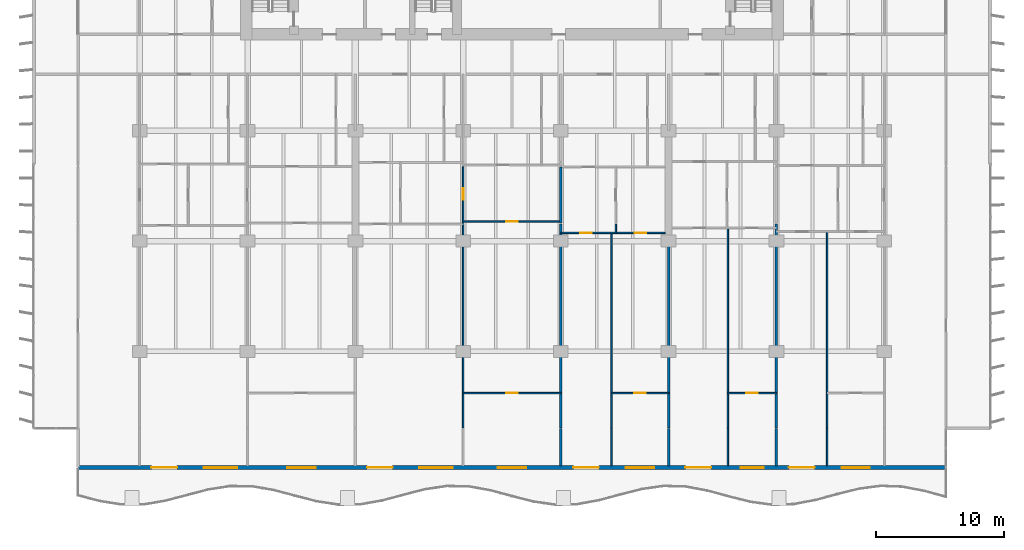
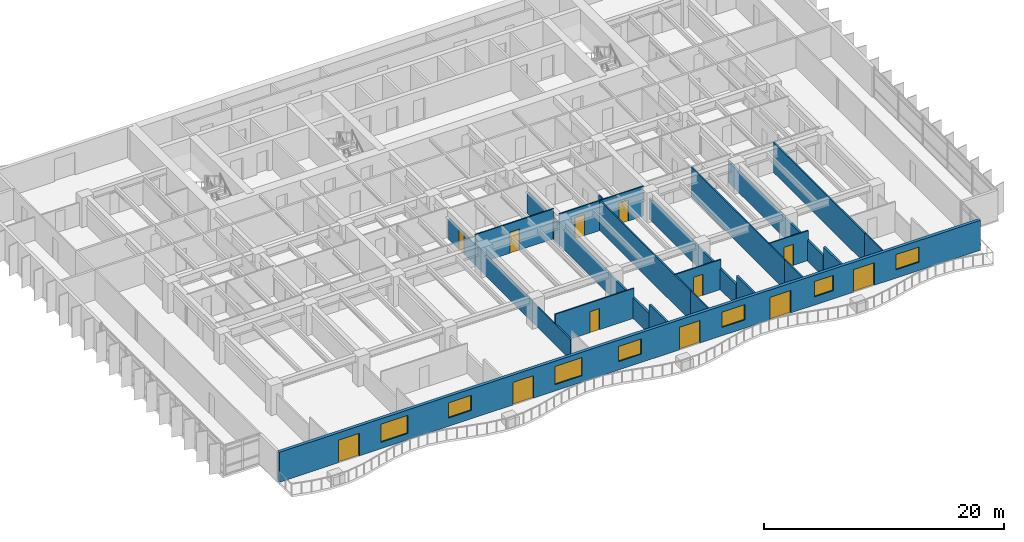
# One storey, part 8 of 17: 22 walls, 12 doors, 7 windows, 19 openings.
"""IFC4 building model written with IfcOpenShell, lengths in metres."""

from ifc_helpers import new_model, si_unit, direction, frame, frame_2d, origin, place, context, subcontext, project, spatial, rectangle, extrude, material, layer, layer_set, type_object, element, fill, save


model = new_model("IFC4")

# Units and contexts
model_context = context("Model", 3, precision=1e-05, world=origin(), true_north=direction((0.0, 1.0)))
body_context = subcontext(model_context, "Body", "Model", "MODEL_VIEW")
ifc_project = project(units=[si_unit("LENGTHUNIT", "METRE"), si_unit("AREAUNIT", "SQUARE_METRE"), si_unit("VOLUMEUNIT", "CUBIC_METRE"), si_unit("PLANEANGLEUNIT", "RADIAN"), si_unit("MASSUNIT", "GRAM", prefix="KILO")], contexts=[model_context])

# Site, building, storey
site_placement = place(None, origin())
site = spatial("IfcSite", under=ifc_project, at=site_placement, CompositionType="ELEMENT")
building_placement = place(site_placement, origin())
building = spatial("IfcBuilding", under=site, at=building_placement, Name="Caelmar Bay Residences", CompositionType="ELEMENT")
storey_placement = place(building_placement, frame((0.0, 0.0, 63.0)))
storey = spatial("IfcBuildingStorey", under=building, at=storey_placement, Name="L16", CompositionType="ELEMENT", Elevation=63.0)

# Wall, openings, doors, windows
ifc_material_1 = material(Name="Precast concrete f'c 40 MPa (6,000 psi)", Category="concrete")
ifc_layer_1 = layer(ifc_material_1, 0.300048828125)
ifc_layer_set_1 = layer_set([ifc_layer_1], Name="Precast concrete f'c 40 MPa (6,000 psi)")
wall_type_1 = type_object("IfcWallType", Name="W-EXT-300", PredefinedType="STANDARD", material=ifc_layer_set_1)
wall_1_placement = place(storey_placement, frame((72.699951171875, 3.14990234375, 0.0), z_axis=(0.0, 0.0, 1.0), x_axis=(-1.0, 0.0, 0.0)))
wall_1 = element("IfcWall", 1, at=wall_1_placement, inside=storey, type_object=wall_type_1, Name="L16 South Bayfront Exterior Wall", PredefinedType="STANDARD", context=body_context, shape_type="SweptSolid", body=[
    extrude(rectangle(XDim=67.599853515625, YDim=0.300048828125, at=frame_2d((33.7998046875, 0.0))), origin(), (0.0, 0.0, 1.0), 3.050048828125),
])
opening_1_placement = place(wall_1_placement, frame((59.889892578125, 0.0, 0.0)))
opening_1 = element("IfcOpeningElement", 2, at=opening_1_placement, cuts=wall_1, Name="Opening L16-BD01", PredefinedType="OPENING", context=body_context, shape_type="SweptSolid", body=[
    extrude(rectangle(XDim=2.0, YDim=2.300048828125, at=frame_2d((1.0, 1.14990234375))), frame((0.0, 0.159912109375, 0.0), z_axis=(0.0, -1.0, 0.0), x_axis=(1.0, 0.0, 0.0)), (0.0, 0.0, 1.0), 0.320068359375),
])
opening_2_placement = place(wall_1_placement, frame((55.2099609375, 0.0, 0.64990234375)))
opening_2 = element("IfcOpeningElement", 3, at=opening_2_placement, cuts=wall_1, Name="Opening WN3", PredefinedType="OPENING", context=body_context, shape_type="SweptSolid", body=[
    extrude(rectangle(XDim=2.60009765625, YDim=1.85009765625, at=frame_2d((1.300048828125, 0.925048828125))), frame((0.0, 0.159912109375, 0.0), z_axis=(0.0, -1.0, 0.0), x_axis=(1.0, 0.0, 0.0)), (0.0, 0.0, 1.0), 0.320068359375),
])
opening_3_placement = place(wall_1_placement, frame((49.10009765625, 0.0, 0.85009765625)))
opening_3 = element("IfcOpeningElement", 4, at=opening_3_placement, cuts=wall_1, Name="Opening WN2", PredefinedType="OPENING", context=body_context, shape_type="SweptSolid", body=[
    extrude(rectangle(XDim=2.199951171875, YDim=1.550048828125, at=frame_2d((1.10009765625, 0.77490234375))), frame((0.0, 0.159912109375, 0.0), z_axis=(0.0, -1.0, 0.0), x_axis=(1.0, 0.0, 0.0)), (0.0, 0.0, 1.0), 0.320068359375),
])
opening_4_placement = place(wall_1_placement, frame((43.090087890625, 0.0, 0.0)))
opening_4 = element("IfcOpeningElement", 5, at=opening_4_placement, cuts=wall_1, Name="Opening L16-BD02", PredefinedType="OPENING", context=body_context, shape_type="SweptSolid", body=[
    extrude(rectangle(XDim=2.0, YDim=2.300048828125, at=frame_2d((1.0, 1.14990234375))), frame((0.0, 0.159912109375, 0.0), z_axis=(0.0, -1.0, 0.0), x_axis=(1.0, 0.0, 0.0)), (0.0, 0.0, 1.0), 0.320068359375),
])
opening_5_placement = place(wall_1_placement, frame((38.409912109375, 0.0, 0.64990234375)))
opening_5 = element("IfcOpeningElement", 6, at=opening_5_placement, cuts=wall_1, Name="Opening WN3", PredefinedType="OPENING", context=body_context, shape_type="SweptSolid", body=[
    extrude(rectangle(XDim=2.60009765625, YDim=1.85009765625, at=frame_2d((1.300048828125, 0.925048828125))), frame((0.0, 0.159912109375, 0.0), z_axis=(0.0, -1.0, 0.0), x_axis=(1.0, 0.0, 0.0)), (0.0, 0.0, 1.0), 0.320068359375),
])
opening_6_placement = place(wall_1_placement, frame((32.699951171875, 0.0, 0.85009765625)))
opening_6 = element("IfcOpeningElement", 7, at=opening_6_placement, cuts=wall_1, Name="Opening WN2", PredefinedType="OPENING", context=body_context, shape_type="SweptSolid", body=[
    extrude(rectangle(XDim=2.199951171875, YDim=1.550048828125, at=frame_2d((1.10009765625, 0.77490234375))), frame((0.0, 0.159912109375, 0.0), z_axis=(0.0, -1.0, 0.0), x_axis=(1.0, 0.0, 0.0)), (0.0, 0.0, 1.0), 0.320068359375),
])
opening_7_placement = place(wall_1_placement, frame((27.02587890625, 0.0, 0.0)))
opening_7 = element("IfcOpeningElement", 8, at=opening_7_placement, cuts=wall_1, Name="Opening L16-BD03", PredefinedType="OPENING", context=body_context, shape_type="SweptSolid", body=[
    extrude(rectangle(XDim=2.0, YDim=2.300048828125, at=frame_2d((1.0, 1.14990234375))), frame((0.0, 0.159912109375, 0.0), z_axis=(0.0, -1.0, 0.0), x_axis=(1.0, 0.0, 0.0)), (0.0, 0.0, 1.0), 0.320068359375),
])
opening_8_placement = place(wall_1_placement, frame((22.72607421875, 0.0, 0.85009765625)))
opening_8 = element("IfcOpeningElement", 9, at=opening_8_placement, cuts=wall_1, Name="Opening WN2", PredefinedType="OPENING", context=body_context, shape_type="SweptSolid", body=[
    extrude(rectangle(XDim=2.199951171875, YDim=1.550048828125, at=frame_2d((1.10009765625, 0.77490234375))), frame((0.0, 0.159912109375, 0.0), z_axis=(0.0, -1.0, 0.0), x_axis=(1.0, 0.0, 0.0)), (0.0, 0.0, 1.0), 0.320068359375),
])
opening_9_placement = place(wall_1_placement, frame((18.2900390625, 0.0, 0.0)))
opening_9 = element("IfcOpeningElement", 10, at=opening_9_placement, cuts=wall_1, Name="Opening L16-BD04", PredefinedType="OPENING", context=body_context, shape_type="SweptSolid", body=[
    extrude(rectangle(XDim=2.0, YDim=2.300048828125, at=frame_2d((1.0, 1.14990234375))), frame((0.0, 0.159912109375, 0.0), z_axis=(0.0, -1.0, 0.0), x_axis=(1.0, 0.0, 0.0)), (0.0, 0.0, 1.0), 0.320068359375),
])
opening_10_placement = place(wall_1_placement, frame((14.18994140625, 0.0, 0.85009765625)))
opening_10 = element("IfcOpeningElement", 11, at=opening_10_placement, cuts=wall_1, Name="Opening WN1", PredefinedType="OPENING", context=body_context, shape_type="SweptSolid", body=[
    extrude(rectangle(XDim=1.800048828125, YDim=1.550048828125, at=frame_2d((0.89990234375, 0.77490234375))), frame((0.0, 0.159912109375, 0.0), z_axis=(0.0, -1.0, 0.0), x_axis=(1.0, 0.0, 0.0)), (0.0, 0.0, 1.0), 0.320068359375),
])
opening_11_placement = place(wall_1_placement, frame((10.22607421875, 0.0, 0.0)))
opening_11 = element("IfcOpeningElement", 12, at=opening_11_placement, cuts=wall_1, Name="Opening L16-BD05", PredefinedType="OPENING", context=body_context, shape_type="SweptSolid", body=[
    extrude(rectangle(XDim=2.0, YDim=2.300048828125, at=frame_2d((1.0, 1.14990234375))), frame((0.0, 0.159912109375, 0.0), z_axis=(0.0, -1.0, 0.0), x_axis=(1.0, 0.0, 0.0)), (0.0, 0.0, 1.0), 0.320068359375),
])
opening_12_placement = place(wall_1_placement, frame((5.926025390625, 0.0, 0.85009765625)))
opening_12 = element("IfcOpeningElement", 13, at=opening_12_placement, cuts=wall_1, Name="Opening WN2", PredefinedType="OPENING", context=body_context, shape_type="SweptSolid", body=[
    extrude(rectangle(XDim=2.199951171875, YDim=1.550048828125, at=frame_2d((1.10009765625, 0.77490234375))), frame((0.0, 0.159912109375, 0.0), z_axis=(0.0, -1.0, 0.0), x_axis=(1.0, 0.0, 0.0)), (0.0, 0.0, 1.0), 0.320068359375),
])
ifc_material_2 = material(Name="Anodised bronze thermally broken sliding glass door", Category="glass")
ifc_layer_2 = layer(ifc_material_2, 0.050048828125)
ifc_layer_set_2 = layer_set([ifc_layer_2], Name="Anodised bronze thermally broken sliding glass door")
door_type_1 = type_object("IfcDoorType", Name="D-BAL-2000", OperationType="DOUBLE_DOOR_SLIDING", PredefinedType="DOOR", material=ifc_layer_set_2)
door_1_placement = place(opening_1_placement, origin())
door_1 = element("IfcDoor", 14, at=door_1_placement, inside=storey, type_object=door_type_1, Name="L16 Residence 01 Penthouse Living Salon Balcony Door", OperationType="DOUBLE_DOOR_SLIDING", OverallHeight=2.300048828125, OverallWidth=2.0, PredefinedType="DOOR", context=body_context, shape_type="SweptSolid", body=[
    extrude(rectangle(XDim=2.0, YDim=2.300048828125, at=frame_2d((1.0, 1.14990234375))), frame((0.0, 0.02490234375, 0.0), z_axis=(0.0, -1.0, 0.0), x_axis=(1.0, 0.0, 0.0)), (0.0, 0.0, 1.0), 0.050048828125),
])
fill(opening_1, door_1)
door_2_placement = place(opening_4_placement, origin())
door_2 = element("IfcDoor", 15, at=door_2_placement, inside=storey, type_object=door_type_1, Name="L16 Residence 02 Penthouse Living Salon Balcony Door", OperationType="DOUBLE_DOOR_SLIDING", OverallHeight=2.300048828125, OverallWidth=2.0, PredefinedType="DOOR", context=body_context, shape_type="SweptSolid", body=[
    extrude(rectangle(XDim=2.0, YDim=2.300048828125, at=frame_2d((1.0, 1.14990234375))), frame((0.0, 0.02490234375, 0.0), z_axis=(0.0, -1.0, 0.0), x_axis=(1.0, 0.0, 0.0)), (0.0, 0.0, 1.0), 0.050048828125),
])
fill(opening_4, door_2)
door_3_placement = place(opening_7_placement, origin())
door_3 = element("IfcDoor", 16, at=door_3_placement, inside=storey, type_object=door_type_1, Name="L16 Residence 03 Living Room Balcony Door", OperationType="DOUBLE_DOOR_SLIDING", OverallHeight=2.300048828125, OverallWidth=2.0, PredefinedType="DOOR", context=body_context, shape_type="SweptSolid", body=[
    extrude(rectangle(XDim=2.0, YDim=2.300048828125, at=frame_2d((1.0, 1.14990234375))), frame((0.0, 0.02490234375, 0.0), z_axis=(0.0, -1.0, 0.0), x_axis=(1.0, 0.0, 0.0)), (0.0, 0.0, 1.0), 0.050048828125),
])
fill(opening_7, door_3)
door_4_placement = place(opening_9_placement, origin())
door_4 = element("IfcDoor", 17, at=door_4_placement, inside=storey, type_object=door_type_1, Name="L16 Residence 04 Penthouse Living Salon Balcony Door", OperationType="DOUBLE_DOOR_SLIDING", OverallHeight=2.300048828125, OverallWidth=2.0, PredefinedType="DOOR", context=body_context, shape_type="SweptSolid", body=[
    extrude(rectangle(XDim=2.0, YDim=2.300048828125, at=frame_2d((1.0, 1.14990234375))), frame((0.0, 0.02490234375, 0.0), z_axis=(0.0, -1.0, 0.0), x_axis=(1.0, 0.0, 0.0)), (0.0, 0.0, 1.0), 0.050048828125),
])
fill(opening_9, door_4)
door_5_placement = place(opening_11_placement, origin())
door_5 = element("IfcDoor", 18, at=door_5_placement, inside=storey, type_object=door_type_1, Name="L16 Residence 05 Living Room Balcony Door", OperationType="DOUBLE_DOOR_SLIDING", OverallHeight=2.300048828125, OverallWidth=2.0, PredefinedType="DOOR", context=body_context, shape_type="SweptSolid", body=[
    extrude(rectangle(XDim=2.0, YDim=2.300048828125, at=frame_2d((1.0, 1.14990234375))), frame((0.0, 0.02490234375, 0.0), z_axis=(0.0, -1.0, 0.0), x_axis=(1.0, 0.0, 0.0)), (0.0, 0.0, 1.0), 0.050048828125),
])
fill(opening_11, door_5)
ifc_material_3 = material(Name="Bronze aluminium frame with laminated low-E glass", Category="aluminium")
ifc_layer_3 = layer(ifc_material_3, 0.06005859375)
ifc_layer_set_3 = layer_set([ifc_layer_3], Name="Bronze aluminium frame with laminated low-E glass")
window_type_1 = type_object("IfcWindowType", Name="WIN-BR-1800", PartitioningType="SINGLE_PANEL", PredefinedType="WINDOW", material=ifc_layer_set_3)
window_1_placement = place(opening_10_placement, origin())
window_1 = element("IfcWindow", 19, at=window_1_placement, inside=storey, type_object=window_type_1, Name="L16 Residence 04 Primary Bedroom Window", OverallHeight=1.550048828125, OverallWidth=1.800048828125, PartitioningType="SINGLE_PANEL", PredefinedType="WINDOW", context=body_context, shape_type="SweptSolid", body=[
    extrude(rectangle(XDim=1.800048828125, YDim=1.550048828125, at=frame_2d((0.89990234375, 0.77490234375))), frame((0.0, 0.030029296875, 0.0), z_axis=(0.0, -1.0, 0.0), x_axis=(1.0, 0.0, 0.0)), (0.0, 0.0, 1.0), 0.06005859375),
])
fill(opening_10, window_1)
ifc_layer_4 = layer(ifc_material_3, 0.06005859375)
ifc_layer_set_4 = layer_set([ifc_layer_4], Name="Bronze aluminium frame with laminated low-E glass")
window_type_2 = type_object("IfcWindowType", Name="WIN-BR-2200", PartitioningType="SINGLE_PANEL", PredefinedType="WINDOW", material=ifc_layer_set_4)
window_2_placement = place(opening_3_placement, origin())
window_2 = element("IfcWindow", 20, at=window_2_placement, inside=storey, type_object=window_type_2, Name="L16 Residence 01 Primary Bedroom 1 Window", OverallHeight=1.550048828125, OverallWidth=2.199951171875, PartitioningType="SINGLE_PANEL", PredefinedType="WINDOW", context=body_context, shape_type="SweptSolid", body=[
    extrude(rectangle(XDim=2.199951171875, YDim=1.550048828125, at=frame_2d((1.10009765625, 0.77490234375))), frame((0.0, 0.030029296875, 0.0), z_axis=(0.0, -1.0, 0.0), x_axis=(1.0, 0.0, 0.0)), (0.0, 0.0, 1.0), 0.06005859375),
])
fill(opening_3, window_2)
window_3_placement = place(opening_6_placement, origin())
window_3 = element("IfcWindow", 21, at=window_3_placement, inside=storey, type_object=window_type_2, Name="L16 Residence 02 Primary Bedroom 1 Window", OverallHeight=1.550048828125, OverallWidth=2.199951171875, PartitioningType="SINGLE_PANEL", PredefinedType="WINDOW", context=body_context, shape_type="SweptSolid", body=[
    extrude(rectangle(XDim=2.199951171875, YDim=1.550048828125, at=frame_2d((1.10009765625, 0.77490234375))), frame((0.0, 0.030029296875, 0.0), z_axis=(0.0, -1.0, 0.0), x_axis=(1.0, 0.0, 0.0)), (0.0, 0.0, 1.0), 0.06005859375),
])
fill(opening_6, window_3)
window_4_placement = place(opening_8_placement, origin())
window_4 = element("IfcWindow", 22, at=window_4_placement, inside=storey, type_object=window_type_2, Name="L16 Residence 03 Primary Bedroom Window", OverallHeight=1.550048828125, OverallWidth=2.199951171875, PartitioningType="SINGLE_PANEL", PredefinedType="WINDOW", context=body_context, shape_type="SweptSolid", body=[
    extrude(rectangle(XDim=2.199951171875, YDim=1.550048828125, at=frame_2d((1.10009765625, 0.77490234375))), frame((0.0, 0.030029296875, 0.0), z_axis=(0.0, -1.0, 0.0), x_axis=(1.0, 0.0, 0.0)), (0.0, 0.0, 1.0), 0.06005859375),
])
fill(opening_8, window_4)
window_5_placement = place(opening_12_placement, origin())
window_5 = element("IfcWindow", 23, at=window_5_placement, inside=storey, type_object=window_type_2, Name="L16 Residence 05 Primary Bedroom Window", OverallHeight=1.550048828125, OverallWidth=2.199951171875, PartitioningType="SINGLE_PANEL", PredefinedType="WINDOW", context=body_context, shape_type="SweptSolid", body=[
    extrude(rectangle(XDim=2.199951171875, YDim=1.550048828125, at=frame_2d((1.10009765625, 0.77490234375))), frame((0.0, 0.030029296875, 0.0), z_axis=(0.0, -1.0, 0.0), x_axis=(1.0, 0.0, 0.0)), (0.0, 0.0, 1.0), 0.06005859375),
])
fill(opening_12, window_5)
ifc_layer_5 = layer(ifc_material_3, 0.06005859375)
ifc_layer_set_5 = layer_set([ifc_layer_5], Name="Bronze aluminium frame with laminated low-E glass")
window_type_3 = type_object("IfcWindowType", Name="WIN-LIV-2600", PartitioningType="SINGLE_PANEL", PredefinedType="WINDOW", material=ifc_layer_set_5)
window_6_placement = place(opening_2_placement, origin())
window_6 = element("IfcWindow", 24, at=window_6_placement, inside=storey, type_object=window_type_3, Name="L16 Residence 01 Penthouse Living Salon Panoramic Window", OverallHeight=1.85009765625, OverallWidth=2.60009765625, PartitioningType="SINGLE_PANEL", PredefinedType="WINDOW", context=body_context, shape_type="SweptSolid", body=[
    extrude(rectangle(XDim=2.60009765625, YDim=1.85009765625, at=frame_2d((1.300048828125, 0.925048828125))), frame((0.0, 0.030029296875, 0.0), z_axis=(0.0, -1.0, 0.0), x_axis=(1.0, 0.0, 0.0)), (0.0, 0.0, 1.0), 0.06005859375),
])
fill(opening_2, window_6)
window_7_placement = place(opening_5_placement, origin())
window_7 = element("IfcWindow", 25, at=window_7_placement, inside=storey, type_object=window_type_3, Name="L16 Residence 02 Penthouse Living Salon Panoramic Window", OverallHeight=1.85009765625, OverallWidth=2.60009765625, PartitioningType="SINGLE_PANEL", PredefinedType="WINDOW", context=body_context, shape_type="SweptSolid", body=[
    extrude(rectangle(XDim=2.60009765625, YDim=1.85009765625, at=frame_2d((1.300048828125, 0.925048828125))), frame((0.0, 0.030029296875, 0.0), z_axis=(0.0, -1.0, 0.0), x_axis=(1.0, 0.0, 0.0)), (0.0, 0.0, 1.0), 0.06005859375),
])
fill(opening_5, window_7)

# Wall
ifc_material_4 = material(Name="Acoustic metal-stud gypsum partition 120 mm")
ifc_layer_6 = layer(ifc_material_4, 0.1201171875)
ifc_layer_set_6 = layer_set([ifc_layer_6], Name="Acoustic metal-stud gypsum partition 120 mm")
wall_type_2 = type_object("IfcWallType", Name="W-PRT-120", PredefinedType="PARTITIONING", material=ifc_layer_set_6)
wall_2_placement = place(storey_placement, frame((35.10009765625, 6.239990234375, 0.0), z_axis=(0.0, 0.0, 1.0), x_axis=(0.0, 1.0, 0.0)))
element("IfcWall", 26, at=wall_2_placement, inside=storey, type_object=wall_type_2, Name="L16 Partition Wall V039", PredefinedType="PARTITIONING", context=body_context, shape_type="SweptSolid", body=[
    extrude(rectangle(XDim=15.880126953125, YDim=0.1201171875, at=frame_2d((7.93994140625, 0.0))), origin(), (0.0, 0.0, 1.0), 2.110107421875),
])

# Wall, opening, door
wall_3_placement = place(storey_placement, frame((35.10009765625, 22.199951171875, 0.0), z_axis=(0.0, 0.0, 1.0), x_axis=(0.0, 1.0, 0.0)))
wall_3 = element("IfcWall", 27, at=wall_3_placement, inside=storey, type_object=wall_type_2, Name="L16 Partition Wall V040", PredefinedType="PARTITIONING", context=body_context, shape_type="SweptSolid", body=[
    extrude(rectangle(XDim=4.380126953125, YDim=0.1201171875, at=frame_2d((2.18994140625, 0.0))), origin(), (0.0, 0.0, 1.0), 2.110107421875),
])
opening_13_placement = place(wall_3_placement, frame((1.800048828125, 0.0, 0.0)))
opening_13 = element("IfcOpeningElement", 28, at=opening_13_placement, cuts=wall_3, Name="Opening D-L16-139", PredefinedType="OPENING", context=body_context, shape_type="SweptSolid", body=[
    extrude(rectangle(XDim=0.89990234375, YDim=2.06005859375, at=frame_2d((0.449951171875, 1.030029296875))), frame((0.0, 0.070068359375, 0.0), z_axis=(0.0, -1.0, 0.0), x_axis=(1.0, 0.0, 0.0)), (0.0, 0.0, 1.0), 0.14013671875),
])
ifc_material_5 = material(Name="Solid walnut timber interior door leaf and frame", Category="wood")
ifc_layer_7 = layer(ifc_material_5, 0.050048828125)
ifc_layer_set_7 = layer_set([ifc_layer_7], Name="Solid walnut timber interior door leaf and frame")
door_type_2 = type_object("IfcDoorType", Name="D-ROOM-900", OperationType="NOTDEFINED", PredefinedType="DOOR", material=ifc_layer_set_7)
door_6_placement = place(opening_13_placement, origin())
door_6 = element("IfcDoor", 29, at=door_6_placement, inside=storey, type_object=door_type_2, Name="L16 Residence 02 Conference Study 1 Door", OperationType="SINGLE_SWING_RIGHT", OverallHeight=2.06005859375, OverallWidth=0.89990234375, PredefinedType="DOOR", context=body_context, shape_type="SweptSolid", body=[
    extrude(rectangle(XDim=0.89990234375, YDim=2.06005859375, at=frame_2d((0.449951171875, 1.030029296875))), frame((0.0, 0.02490234375, 0.0), z_axis=(0.0, -1.0, 0.0), x_axis=(1.0, 0.0, 0.0)), (0.0, 0.0, 1.0), 0.050048828125),
])
fill(opening_13, door_6)

# Walls
wall_4_placement = place(storey_placement, frame((46.64794921875, 3.294921875, 0.0), z_axis=(0.0, 0.0, 1.0), x_axis=(0.0, 1.0, 0.0)))
element("IfcWall", 30, at=wall_4_placement, inside=storey, type_object=wall_type_2, Name="L16 Partition Wall V056", PredefinedType="PARTITIONING", context=body_context, shape_type="SweptSolid", body=[
    extrude(rectangle(XDim=2.905029296875, YDim=0.1201171875, at=frame_2d((1.45263671875, 0.0))), origin(), (0.0, 0.0, 1.0), 3.050048828125),
])
wall_5_placement = place(storey_placement, frame((46.64794921875, 6.239990234375, 0.0), z_axis=(0.0, 0.0, 1.0), x_axis=(0.0, 1.0, 0.0)))
element("IfcWall", 31, at=wall_5_placement, inside=storey, type_object=wall_type_2, Name="L16 Partition Wall V057", PredefinedType="PARTITIONING", context=body_context, shape_type="SweptSolid", body=[
    extrude(rectangle(XDim=15.18994140625, YDim=0.1201171875, at=frame_2d((7.594970703125, 0.0))), origin(), (0.0, 0.0, 1.0), 3.050048828125),
])
wall_6_placement = place(storey_placement, frame((46.986083984375, 21.429931640625, 0.0), z_axis=(0.0, 0.0, 1.0), x_axis=(0.0, 1.0, 0.0)))
element("IfcWall", 32, at=wall_6_placement, inside=storey, type_object=wall_type_2, Name="L16 Partition Wall V058", PredefinedType="PARTITIONING", context=body_context, shape_type="SweptSolid", body=[
    extrude(rectangle(XDim=0.690185546875, YDim=0.1201171875, at=frame_2d((0.34521484375, 0.0))), origin(), (0.0, 0.0, 1.0), 3.050048828125),
])
wall_7_placement = place(storey_placement, frame((55.719970703125, 3.294921875, 0.0), z_axis=(0.0, 0.0, 1.0), x_axis=(0.0, 1.0, 0.0)))
element("IfcWall", 33, at=wall_7_placement, inside=storey, type_object=wall_type_2, Name="L16 Partition Wall V073", PredefinedType="PARTITIONING", context=body_context, shape_type="SweptSolid", body=[
    extrude(rectangle(XDim=2.905029296875, YDim=0.1201171875, at=frame_2d((1.45263671875, 0.0))), origin(), (0.0, 0.0, 1.0), 3.050048828125),
])
wall_8_placement = place(storey_placement, frame((55.719970703125, 6.239990234375, 0.0), z_axis=(0.0, 0.0, 1.0), x_axis=(0.0, 1.0, 0.0)))
element("IfcWall", 34, at=wall_8_placement, inside=storey, type_object=wall_type_2, Name="L16 Partition Wall V074", PredefinedType="PARTITIONING", context=body_context, shape_type="SweptSolid", body=[
    extrude(rectangle(XDim=15.5849609375, YDim=0.1201171875, at=frame_2d((7.79248046875, 0.0))), origin(), (0.0, 0.0, 1.0), 3.050048828125),
])
wall_9_placement = place(storey_placement, frame((63.447998046875, 3.294921875, 0.0), z_axis=(0.0, 0.0, 1.0), x_axis=(0.0, 1.0, 0.0)))
element("IfcWall", 35, at=wall_9_placement, inside=storey, type_object=wall_type_2, Name="L16 Partition Wall V083", PredefinedType="PARTITIONING", context=body_context, shape_type="SweptSolid", body=[
    extrude(rectangle(XDim=2.905029296875, YDim=0.1201171875, at=frame_2d((1.45263671875, 0.0))), origin(), (0.0, 0.0, 1.0), 3.050048828125),
])
wall_10_placement = place(storey_placement, frame((63.447998046875, 6.239990234375, 0.0), z_axis=(0.0, 0.0, 1.0), x_axis=(0.0, 1.0, 0.0)))
element("IfcWall", 36, at=wall_10_placement, inside=storey, type_object=wall_type_2, Name="L16 Partition Wall V084", PredefinedType="PARTITIONING", context=body_context, shape_type="SweptSolid", body=[
    extrude(rectangle(XDim=15.2900390625, YDim=0.1201171875, at=frame_2d((7.64501953125, 0.0))), origin(), (0.0, 0.0, 1.0), 3.050048828125),
])

# Wall, opening, door
wall_11_placement = place(storey_placement, frame((35.10009765625, 8.949951171875, 0.0), z_axis=(0.0, 0.0, 1.0), x_axis=(1.0, 0.0, 0.0)))
wall_11 = element("IfcWall", 37, at=wall_11_placement, inside=storey, type_object=wall_type_2, Name="L16 Partition Wall H102", PredefinedType="PARTITIONING", context=body_context, shape_type="SweptSolid", body=[
    extrude(rectangle(XDim=7.599853515625, YDim=0.1201171875, at=frame_2d((3.7998046875, 0.0))), origin(), (0.0, 0.0, 1.0), 3.050048828125),
])
opening_14_placement = place(wall_11_placement, frame((3.35009765625, 0.0, 0.0)))
opening_14 = element("IfcOpeningElement", 38, at=opening_14_placement, cuts=wall_11, Name="Opening D-L16-143", PredefinedType="OPENING", context=body_context, shape_type="SweptSolid", body=[
    extrude(rectangle(XDim=0.89990234375, YDim=2.14990234375, at=frame_2d((0.449951171875, 1.074951171875))), frame((0.0, 0.070068359375, 0.0), z_axis=(0.0, -1.0, 0.0), x_axis=(1.0, 0.0, 0.0)), (0.0, 0.0, 1.0), 0.14013671875),
])
door_7_placement = place(opening_14_placement, origin())
door_7 = element("IfcDoor", 39, at=door_7_placement, inside=storey, type_object=door_type_2, Name="L16 Residence 02 Primary Bedroom 1 Door", OperationType="SINGLE_SWING_RIGHT", OverallHeight=2.14990234375, OverallWidth=0.89990234375, PredefinedType="DOOR", context=body_context, shape_type="SweptSolid", body=[
    extrude(rectangle(XDim=0.89990234375, YDim=2.14990234375, at=frame_2d((0.449951171875, 1.074951171875))), frame((0.0, 0.02490234375, 0.0), z_axis=(0.0, -1.0, 0.0), x_axis=(1.0, 0.0, 0.0)), (0.0, 0.0, 1.0), 0.050048828125),
])
fill(opening_14, door_7)

wall_12_placement = place(storey_placement, frame((46.64794921875, 8.949951171875, 0.0), z_axis=(0.0, 0.0, 1.0), x_axis=(1.0, 0.0, 0.0)))
wall_12 = element("IfcWall", 40, at=wall_12_placement, inside=storey, type_object=wall_type_2, Name="L16 Partition Wall H103", PredefinedType="PARTITIONING", context=body_context, shape_type="SweptSolid", body=[
    extrude(rectangle(XDim=4.4521484375, YDim=0.1201171875, at=frame_2d((2.22607421875, 0.0))), origin(), (0.0, 0.0, 1.0), 3.050048828125),
])
opening_15_placement = place(wall_12_placement, frame((1.77587890625, 0.0, 0.0)))
opening_15 = element("IfcOpeningElement", 41, at=opening_15_placement, cuts=wall_12, Name="Opening D-L16-150", PredefinedType="OPENING", context=body_context, shape_type="SweptSolid", body=[
    extrude(rectangle(XDim=0.89990234375, YDim=2.14990234375, at=frame_2d((0.449951171875, 1.074951171875))), frame((0.0, 0.070068359375, 0.0), z_axis=(0.0, -1.0, 0.0), x_axis=(1.0, 0.0, 0.0)), (0.0, 0.0, 1.0), 0.14013671875),
])
door_8_placement = place(opening_15_placement, origin())
door_8 = element("IfcDoor", 42, at=door_8_placement, inside=storey, type_object=door_type_2, Name="L16 Residence 03 Primary Bedroom Door", OperationType="SINGLE_SWING_LEFT", OverallHeight=2.14990234375, OverallWidth=0.89990234375, PredefinedType="DOOR", context=body_context, shape_type="SweptSolid", body=[
    extrude(rectangle(XDim=0.89990234375, YDim=2.14990234375, at=frame_2d((0.449951171875, 1.074951171875))), frame((0.0, 0.02490234375, 0.0), z_axis=(0.0, -1.0, 0.0), x_axis=(1.0, 0.0, 0.0)), (0.0, 0.0, 1.0), 0.050048828125),
])
fill(opening_15, door_8)

wall_13_placement = place(storey_placement, frame((55.719970703125, 8.949951171875, 0.0), z_axis=(0.0, 0.0, 1.0), x_axis=(1.0, 0.0, 0.0)))
wall_13 = element("IfcWall", 43, at=wall_13_placement, inside=storey, type_object=wall_type_2, Name="L16 Partition Wall H104", PredefinedType="PARTITIONING", context=body_context, shape_type="SweptSolid", body=[
    extrude(rectangle(XDim=3.780029296875, YDim=0.1201171875, at=frame_2d((1.89013671875, 0.0))), origin(), (0.0, 0.0, 1.0), 3.050048828125),
])
opening_16_placement = place(wall_13_placement, frame((1.43994140625, 0.0, 0.0)))
opening_16 = element("IfcOpeningElement", 44, at=opening_16_placement, cuts=wall_13, Name="Opening D-L16-157", PredefinedType="OPENING", context=body_context, shape_type="SweptSolid", body=[
    extrude(rectangle(XDim=0.89990234375, YDim=2.14990234375, at=frame_2d((0.449951171875, 1.074951171875))), frame((0.0, 0.070068359375, 0.0), z_axis=(0.0, -1.0, 0.0), x_axis=(1.0, 0.0, 0.0)), (0.0, 0.0, 1.0), 0.14013671875),
])
door_9_placement = place(opening_16_placement, origin())
door_9 = element("IfcDoor", 45, at=door_9_placement, inside=storey, type_object=door_type_2, Name="L16 Residence 04 Primary Bedroom Door", OperationType="SINGLE_SWING_RIGHT", OverallHeight=2.14990234375, OverallWidth=0.89990234375, PredefinedType="DOOR", context=body_context, shape_type="SweptSolid", body=[
    extrude(rectangle(XDim=0.89990234375, YDim=2.14990234375, at=frame_2d((0.449951171875, 1.074951171875))), frame((0.0, 0.02490234375, 0.0), z_axis=(0.0, -1.0, 0.0), x_axis=(1.0, 0.0, 0.0)), (0.0, 0.0, 1.0), 0.050048828125),
])
fill(opening_16, door_9)

# Wall, openings, doors
wall_14_placement = place(storey_placement, frame((42.699951171875, 21.429931640625, 0.0), z_axis=(0.0, 0.0, 1.0), x_axis=(1.0, 0.0, 0.0)))
wall_14 = element("IfcWall", 46, at=wall_14_placement, inside=storey, type_object=wall_type_2, Name="L16 Partition Wall H106", PredefinedType="PARTITIONING", context=body_context, shape_type="SweptSolid", body=[
    extrude(rectangle(XDim=8.130126953125, YDim=0.1201171875, at=frame_2d((4.06494140625, 0.0))), origin(), (0.0, 0.0, 1.0), 3.050048828125),
])
opening_17_placement = place(wall_14_placement, frame((1.52392578125, 0.0, 0.0)))
opening_17 = element("IfcOpeningElement", 47, at=opening_17_placement, cuts=wall_14, Name="Opening D-L16-148", PredefinedType="OPENING", context=body_context, shape_type="SweptSolid", body=[
    extrude(rectangle(XDim=0.89990234375, YDim=2.14990234375, at=frame_2d((0.449951171875, 1.074951171875))), frame((0.0, 0.070068359375, 0.0), z_axis=(0.0, -1.0, 0.0), x_axis=(1.0, 0.0, 0.0)), (0.0, 0.0, 1.0), 0.14013671875),
])
opening_18_placement = place(wall_14_placement, frame((5.758056640625, 0.0, 0.0)))
opening_18 = element("IfcOpeningElement", 48, at=opening_18_placement, cuts=wall_14, Name="Opening D-L16-149", PredefinedType="OPENING", context=body_context, shape_type="SweptSolid", body=[
    extrude(rectangle(XDim=0.89990234375, YDim=2.14990234375, at=frame_2d((0.449951171875, 1.074951171875))), frame((0.0, 0.070068359375, 0.0), z_axis=(0.0, -1.0, 0.0), x_axis=(1.0, 0.0, 0.0)), (0.0, 0.0, 1.0), 0.14013671875),
])
door_10_placement = place(opening_17_placement, origin())
door_10 = element("IfcDoor", 49, at=door_10_placement, inside=storey, type_object=door_type_2, Name="L16 Residence 03 Living Room Door", OperationType="SINGLE_SWING_LEFT", OverallHeight=2.14990234375, OverallWidth=0.89990234375, PredefinedType="DOOR", context=body_context, shape_type="SweptSolid", body=[
    extrude(rectangle(XDim=0.89990234375, YDim=2.14990234375, at=frame_2d((0.449951171875, 1.074951171875))), frame((0.0, 0.02490234375, 0.0), z_axis=(0.0, -1.0, 0.0), x_axis=(1.0, 0.0, 0.0)), (0.0, 0.0, 1.0), 0.050048828125),
])
fill(opening_17, door_10)
door_11_placement = place(opening_18_placement, origin())
door_11 = element("IfcDoor", 50, at=door_11_placement, inside=storey, type_object=door_type_2, Name="L16 Residence 03 Penthouse Sitting Room Door", OperationType="SINGLE_SWING_RIGHT", OverallHeight=2.14990234375, OverallWidth=0.89990234375, PredefinedType="DOOR", context=body_context, shape_type="SweptSolid", body=[
    extrude(rectangle(XDim=0.89990234375, YDim=2.14990234375, at=frame_2d((0.449951171875, 1.074951171875))), frame((0.0, 0.02490234375, 0.0), z_axis=(0.0, -1.0, 0.0), x_axis=(1.0, 0.0, 0.0)), (0.0, 0.0, 1.0), 0.050048828125),
])
fill(opening_18, door_11)

# Wall, opening, door
wall_15_placement = place(storey_placement, frame((35.10498046875, 22.320068359375, 0.0), z_axis=(0.0, 0.0, 1.0), x_axis=(1.0, 0.0, 0.0)))
wall_15 = element("IfcWall", 51, at=wall_15_placement, inside=storey, type_object=wall_type_2, Name="L16 Partition Wall H112", PredefinedType="PARTITIONING", context=body_context, shape_type="SweptSolid", body=[
    extrude(rectangle(XDim=7.594970703125, YDim=0.1201171875, at=frame_2d((3.79736328125, 0.0))), origin(), (0.0, 0.0, 1.0), 3.050048828125),
])
opening_19_placement = place(wall_15_placement, frame((3.347412109375, 0.0, 0.0)))
opening_19 = element("IfcOpeningElement", 52, at=opening_19_placement, cuts=wall_15, Name="Opening D-L16-142", PredefinedType="OPENING", context=body_context, shape_type="SweptSolid", body=[
    extrude(rectangle(XDim=0.89990234375, YDim=2.14990234375, at=frame_2d((0.449951171875, 1.074951171875))), frame((0.0, 0.070068359375, 0.0), z_axis=(0.0, -1.0, 0.0), x_axis=(1.0, 0.0, 0.0)), (0.0, 0.0, 1.0), 0.14013671875),
])
door_12_placement = place(opening_19_placement, origin())
door_12 = element("IfcDoor", 53, at=door_12_placement, inside=storey, type_object=door_type_2, Name="L16 Residence 02 Penthouse Sitting Salon 1 Door", OperationType="SINGLE_SWING_LEFT", OverallHeight=2.14990234375, OverallWidth=0.89990234375, PredefinedType="DOOR", context=body_context, shape_type="SweptSolid", body=[
    extrude(rectangle(XDim=0.89990234375, YDim=2.14990234375, at=frame_2d((0.449951171875, 1.074951171875))), frame((0.0, 0.02490234375, 0.0), z_axis=(0.0, -1.0, 0.0), x_axis=(1.0, 0.0, 0.0)), (0.0, 0.0, 1.0), 0.050048828125),
])
fill(opening_19, door_12)

# Walls
ifc_material_6 = material(Name="Acoustic twin-stud fire-rated inter-tenancy partition 200 mm")
ifc_layer_8 = layer(ifc_material_6, 0.199951171875)
ifc_layer_set_8 = layer_set([ifc_layer_8], Name="Acoustic twin-stud fire-rated inter-tenancy partition 200 mm")
wall_type_3 = type_object("IfcWallType", Name="W-PTY-200", PredefinedType="PARTITIONING", material=ifc_layer_set_8)
wall_16_placement = place(storey_placement, frame((42.699951171875, 3.294921875, 0.0), z_axis=(0.0, 0.0, 1.0), x_axis=(0.0, 1.0, 0.0)))
element("IfcWall", 54, at=wall_16_placement, inside=storey, type_object=wall_type_3, Name="L16 Partition Wall V048", PredefinedType="PARTITIONING", context=body_context, shape_type="SweptSolid", body=[
    extrude(rectangle(XDim=2.905029296875, YDim=0.199951171875, at=frame_2d((1.45263671875, 0.0))), origin(), (0.0, 0.0, 1.0), 3.050048828125),
])
wall_17_placement = place(storey_placement, frame((42.699951171875, 6.239990234375, 0.0), z_axis=(0.0, 0.0, 1.0), x_axis=(0.0, 1.0, 0.0)))
element("IfcWall", 55, at=wall_17_placement, inside=storey, type_object=wall_type_3, Name="L16 Partition Wall V049", PredefinedType="PARTITIONING", context=body_context, shape_type="SweptSolid", body=[
    extrude(rectangle(XDim=15.880126953125, YDim=0.199951171875, at=frame_2d((7.93994140625, 0.0))), origin(), (0.0, 0.0, 1.0), 2.110107421875),
])
wall_18_placement = place(storey_placement, frame((42.699951171875, 22.199951171875, 0.0), z_axis=(0.0, 0.0, 1.0), x_axis=(0.0, 1.0, 0.0)))
element("IfcWall", 56, at=wall_18_placement, inside=storey, type_object=wall_type_3, Name="L16 Partition Wall V050", PredefinedType="PARTITIONING", context=body_context, shape_type="SweptSolid", body=[
    extrude(rectangle(XDim=4.380126953125, YDim=0.199951171875, at=frame_2d((2.18994140625, 0.0))), origin(), (0.0, 0.0, 1.0), 2.110107421875),
])
wall_19_placement = place(storey_placement, frame((51.10009765625, 3.294921875, 0.0), z_axis=(0.0, 0.0, 1.0), x_axis=(0.0, 1.0, 0.0)))
element("IfcWall", 57, at=wall_19_placement, inside=storey, type_object=wall_type_3, Name="L16 Partition Wall V065", PredefinedType="PARTITIONING", context=body_context, shape_type="SweptSolid", body=[
    extrude(rectangle(XDim=2.905029296875, YDim=0.199951171875, at=frame_2d((1.45263671875, 0.0))), origin(), (0.0, 0.0, 1.0), 3.050048828125),
])
wall_20_placement = place(storey_placement, frame((51.10009765625, 6.239990234375, 0.0), z_axis=(0.0, 0.0, 1.0), x_axis=(0.0, 1.0, 0.0)))
element("IfcWall", 58, at=wall_20_placement, inside=storey, type_object=wall_type_3, Name="L16 Partition Wall V066", PredefinedType="PARTITIONING", context=body_context, shape_type="SweptSolid", body=[
    extrude(rectangle(XDim=14.554931640625, YDim=0.199951171875, at=frame_2d((7.27734375, 0.0))), origin(), (0.0, 0.0, 1.0), 2.110107421875),
])
wall_21_placement = place(storey_placement, frame((59.5, 3.294921875, 0.0), z_axis=(0.0, 0.0, 1.0), x_axis=(0.0, 1.0, 0.0)))
element("IfcWall", 59, at=wall_21_placement, inside=storey, type_object=wall_type_3, Name="L16 Partition Wall V077", PredefinedType="PARTITIONING", context=body_context, shape_type="SweptSolid", body=[
    extrude(rectangle(XDim=2.905029296875, YDim=0.199951171875, at=frame_2d((1.45263671875, 0.0))), origin(), (0.0, 0.0, 1.0), 3.050048828125),
])
wall_22_placement = place(storey_placement, frame((59.5, 6.239990234375, 0.0), z_axis=(0.0, 0.0, 1.0), x_axis=(0.0, 1.0, 0.0)))
element("IfcWall", 60, at=wall_22_placement, inside=storey, type_object=wall_type_3, Name="L16 Partition Wall V078", PredefinedType="PARTITIONING", context=body_context, shape_type="SweptSolid", body=[
    extrude(rectangle(XDim=15.880126953125, YDim=0.199951171875, at=frame_2d((7.93994140625, 0.0))), origin(), (0.0, 0.0, 1.0), 2.110107421875),
])

save(model, "model.ifc")
